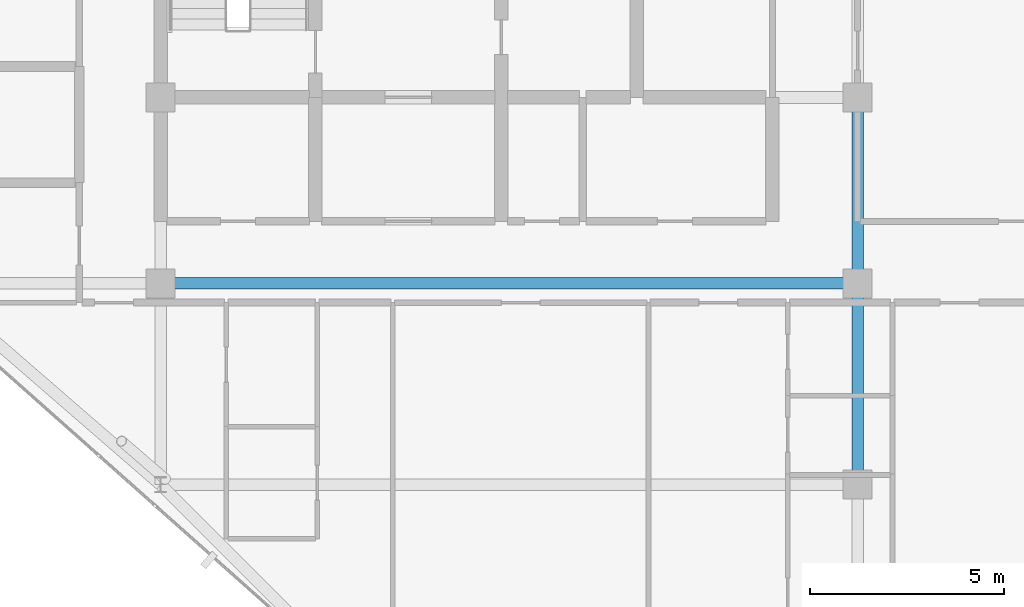
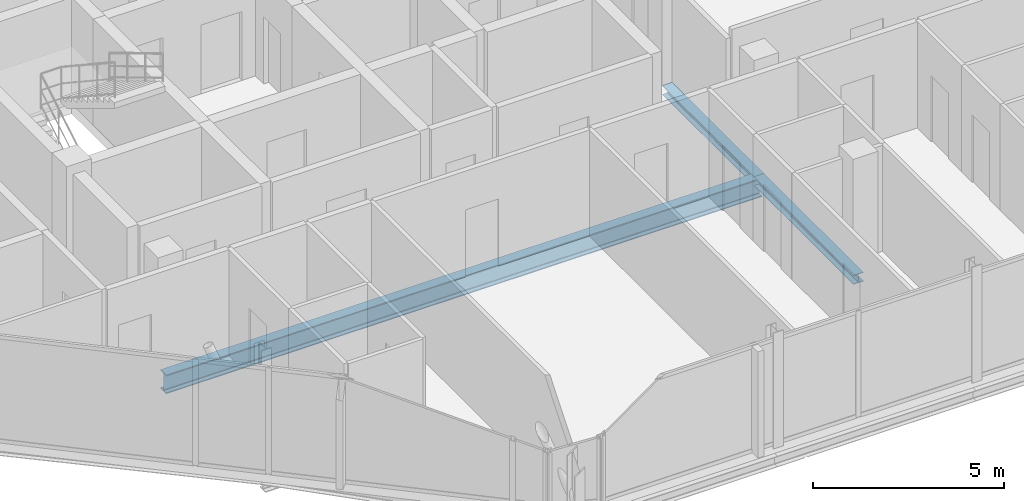
# One storey, part 9 of 30: 3 beams.
"""IFC4 building model written with IfcOpenShell, lengths in metres."""

from ifc_helpers import new_model, si_unit, direction, frame, origin, origin_2d, place, context, subcontext, project, spatial, i_section, extrude, material, material_profile, profile_set, type_object, element, save


model = new_model("IFC4")

# Units and contexts
model_context = context("Model", 3, precision=1e-05, world=origin(), true_north=direction((0.0, 1.0)))
body_context = subcontext(model_context, "Body", "Model", "MODEL_VIEW")
ifc_project = project(units=[si_unit("LENGTHUNIT", "METRE"), si_unit("AREAUNIT", "SQUARE_METRE"), si_unit("VOLUMEUNIT", "CUBIC_METRE"), si_unit("PLANEANGLEUNIT", "RADIAN"), si_unit("MASSUNIT", "GRAM", prefix="KILO")], contexts=[model_context])

# Site, building, storey
site_placement = place(None, origin())
site = spatial("IfcSite", under=ifc_project, at=site_placement, CompositionType="ELEMENT")
building_placement = place(site_placement, origin())
building = spatial("IfcBuilding", under=site, at=building_placement, Name="Keshet Zoharim Tower", CompositionType="ELEMENT")
storey_placement = place(building_placement, frame((0.0, 0.0, 280.60009765625)))
storey = spatial("IfcBuildingStorey", under=building, at=storey_placement, Name="L70", CompositionType="ELEMENT", Elevation=280.60009765625)

# Beams
ifc_material = material(Name="Steel S355", Category="steel")
ifc_material_profile_1 = material_profile(ifc_material, i_section(OverallWidth=0.300048828125, OverallDepth=0.60009765625, WebThickness=0.015380859375, FlangeThickness=0.030029296875, FilletRadius=0.027099609375, at=origin_2d()), Name="HEB600")
ifc_profile_set_1 = profile_set([ifc_material_profile_1], Name="Steel S355")
beam_type_1 = type_object("IfcBeamType", Name="BM-LNG-HB600", PredefinedType="BEAM", material=ifc_profile_set_1)
beam_1_placement = place(storey_placement, frame((15.0, 17.89990234375, -0.610107421875), z_axis=(1.0, 0.0, 0.0), x_axis=(0.0, 1.0, 0.0)))
element("IfcBeam", 1, at=beam_1_placement, inside=storey, type_object=beam_type_1, Name="L70 Primary Girder X-006", PredefinedType="BEAM", context=body_context, shape_type="SweptSolid", body=[
    extrude(i_section(OverallWidth=0.300048828125, OverallDepth=0.60009765625, WebThickness=0.015380859375, FlangeThickness=0.030029296875, FilletRadius=0.027099609375, at=origin_2d()), origin(), (0.0, 0.0, 1.0), 18.0),
])
ifc_material_profile_2 = material_profile(ifc_material, i_section(OverallWidth=0.300048828125, OverallDepth=0.2900390625, WebThickness=0.008544921875, FlangeThickness=0.013916015625, FilletRadius=0.027099609375, at=origin_2d()), Name="HEA300")
ifc_profile_set_2 = profile_set([ifc_material_profile_2], Name="Steel S355")
beam_type_2 = type_object("IfcBeamType", Name="BM-PRI-HA300", PredefinedType="BEAM", material=ifc_profile_set_2)
beam_2_placement = place(storey_placement, frame((33.0, 12.699951171875, -0.455078125), z_axis=(0.0, 1.0, 0.0), x_axis=(-1.0, 0.0, 0.0)))
element("IfcBeam", 2, at=beam_2_placement, inside=storey, type_object=beam_type_2, Name="L70 Primary Girder Y-005", PredefinedType="BEAM", context=body_context, shape_type="SweptSolid", body=[
    extrude(i_section(OverallWidth=0.300048828125, OverallDepth=0.2900390625, WebThickness=0.008544921875, FlangeThickness=0.013916015625, FilletRadius=0.027099609375, at=origin_2d()), origin(), (0.0, 0.0, 1.0), 5.199951171875),
])
beam_3_placement = place(storey_placement, frame((33.0, 17.89990234375, -0.455078125), z_axis=(0.0, 1.0, 0.0), x_axis=(-1.0, 0.0, 0.0)))
element("IfcBeam", 3, at=beam_3_placement, inside=storey, type_object=beam_type_2, Name="L70 Primary Girder Y-006", PredefinedType="BEAM", context=body_context, shape_type="SweptSolid", body=[
    extrude(i_section(OverallWidth=0.300048828125, OverallDepth=0.2900390625, WebThickness=0.008544921875, FlangeThickness=0.013916015625, FilletRadius=0.027099609375, at=origin_2d()), origin(), (0.0, 0.0, 1.0), 4.800048828125),
])

save(model, "model.ifc")
